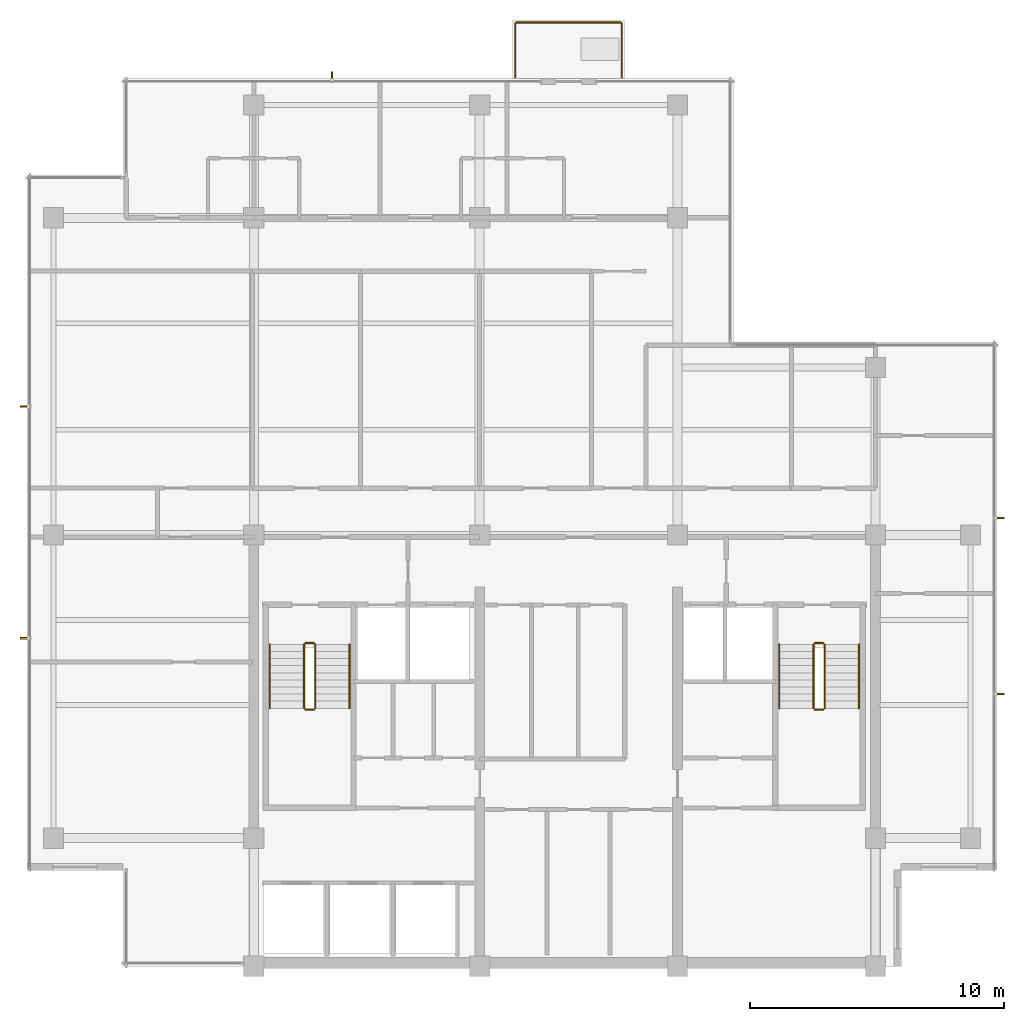
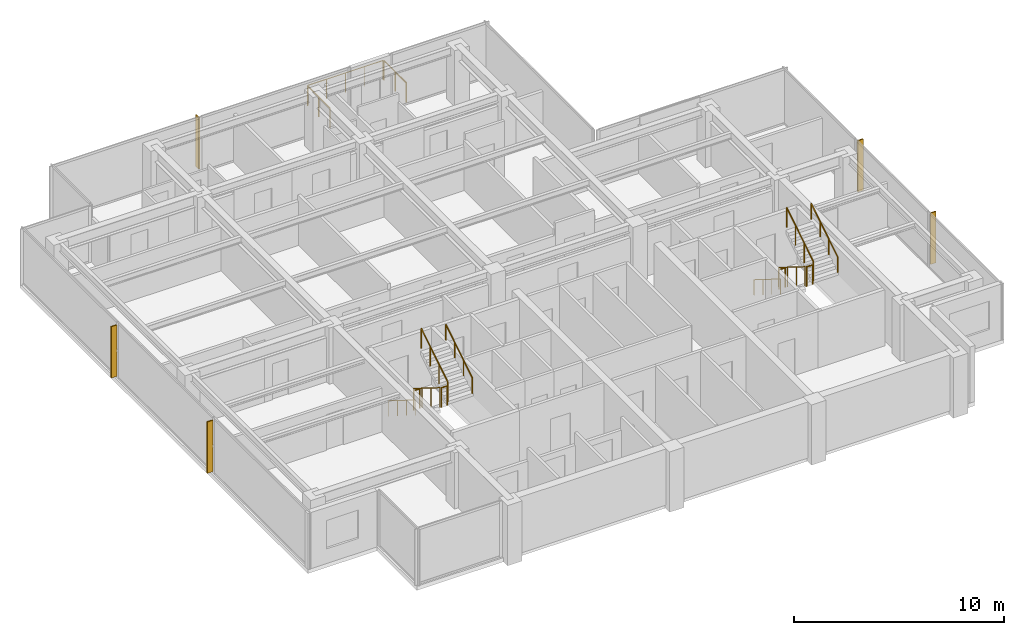
# One storey, part 12 of 12: 15 railings, 5 shading devices.
"""IFC4 building model written with IfcOpenShell, lengths in metres."""

import ifcopenshell
import ifcopenshell.guid

model = None  # the IFC model being written
_history = None  # IfcOwnerHistory: only IFC2X3 demands one
_inside = {}  # id of a spatial element -> (the spatial element, [elements in it])
_under = {}  # id of a project, library or spatial element -> (it, [spatial elements below it])
_declared = {}  # id of a project -> (the project, [libraries it declares])
_typed = {}  # id of a type object -> (the type object, [elements of that type])
_made_of = {}  # id of a material, layer set ... -> (it, [elements and type objects made of it])


def new_model(schema):
    """Start an empty IFC model of exactly this schema.

    Asked for "IFC4X3", IfcOpenShell would pick the latest addendum, in which some entities
    have other attributes; the version numbers below select the first issue.
    IFC2X3 requires an IfcOwnerHistory on every rooted entity: one is made here for all.
    """
    global model, _history
    if schema == "IFC4X3":
        model = ifcopenshell.file(schema_version=(4, 3, 0, 0))
    else:
        model = ifcopenshell.file(schema=schema)
    _inside.clear()
    _under.clear()
    _declared.clear()
    _typed.clear()
    _made_of.clear()
    _history = None
    if model.schema == "IFC2X3":
        org = make("IfcOrganization", Name="unknown")
        user = make(
            "IfcPersonAndOrganization",
            ThePerson=make("IfcPerson", FamilyName="unknown"),
            TheOrganization=org,
        )
        app = make(
            "IfcApplication",
            ApplicationDeveloper=org,
            Version="unknown",
            ApplicationFullName="unknown",
            ApplicationIdentifier="unknown",
        )
        _history = make(
            "IfcOwnerHistory",
            OwningUser=user,
            OwningApplication=app,
            ChangeAction="ADDED",
            CreationDate=0,
        )
    return model


def make(cls, **values):
    """One entity of the class cls with the attributes given. An attribute that is None is left unset."""
    return model.create_entity(
        cls, **{name: value for name, value in values.items() if value is not None}
    )


def rooted(cls, **values):
    """An entity with a GlobalId (a new one), such as an element, a storey or a relation."""
    return make(cls, GlobalId=ifcopenshell.guid.new(), OwnerHistory=_history, **values)


def si_unit(unit_type, name, prefix=None):
    """IfcSIUnit, for example si_unit("LENGTHUNIT", "METRE", prefix="MILLI")."""
    return make("IfcSIUnit", UnitType=unit_type, Prefix=prefix, Name=name)


def assignment(units):
    """IfcUnitAssignment: the units of a project."""
    return None if units is None else make("IfcUnitAssignment", Units=units)


def point(xyz):
    """IfcCartesianPoint."""
    return None if xyz is None else make("IfcCartesianPoint", Coordinates=xyz)


def direction(xyz):
    """IfcDirection."""
    return None if xyz is None else make("IfcDirection", DirectionRatios=xyz)


def frame(location, z_axis=None, x_axis=None):
    """IfcAxis2Placement3D, a coordinate frame: its origin and axes. An axis left out is left unset."""
    return make(
        "IfcAxis2Placement3D",
        Location=point(location),
        Axis=direction(z_axis),
        RefDirection=direction(x_axis),
    )


def frame_2d(location, x_axis=None):
    """IfcAxis2Placement2D, a coordinate frame in the plane: its origin and x axis."""
    return make(
        "IfcAxis2Placement2D", Location=point(location), RefDirection=direction(x_axis)
    )


def origin():
    """The frame at (0, 0, 0) with its axes left unset."""
    return frame((0.0, 0.0, 0.0))


def origin_2d():
    """The frame at (0, 0) in the plane with its x axis left unset."""
    return frame_2d((0.0, 0.0))


def place(relative_to, where):
    """IfcLocalPlacement: puts the frame where relative to a parent placement (None: the world)."""
    return make(
        "IfcLocalPlacement", PlacementRelTo=relative_to, RelativePlacement=where
    )


def context(
    kind, dimensions, precision=None, world=None, true_north=None, identifier=None
):
    """IfcGeometricRepresentationContext, for example the 3D "Model" context."""
    return make(
        "IfcGeometricRepresentationContext",
        ContextIdentifier=identifier,
        ContextType=kind,
        CoordinateSpaceDimension=dimensions,
        Precision=precision,
        WorldCoordinateSystem=world,
        TrueNorth=true_north,
    )


def subcontext(parent, identifier, kind, view, scale=None):
    """IfcGeometricRepresentationSubContext, for example "Body" below "Model"."""
    return make(
        "IfcGeometricRepresentationSubContext",
        ContextIdentifier=identifier,
        ContextType=kind,
        ParentContext=parent,
        TargetScale=scale,
        TargetView=view,
    )


def project(units=None, contexts=None):
    """IfcProject with its units and contexts."""
    return rooted(
        "IfcProject",
        Name="project",
        RepresentationContexts=contexts,
        UnitsInContext=assignment(units),
    )


def spatial(cls, under=None, at=None, **own):
    """A site, building, storey or space (cls), placed at a placement, below another one or the project."""
    s = rooted(cls, ObjectPlacement=at, **own)
    if under is not None:
        _under.setdefault(under.id(), (under, []))[1].append(s)
    return s


def polyline(points):
    """IfcPolyline through the points."""
    return make("IfcPolyline", Points=[point(p) for p in points])


def profile(cls, at=None, kind="AREA", **sizes):
    """A parametric profile (cls). Its sizes go by their IFC names, for example OverallWidth=200.0."""
    return make(cls, ProfileType=kind, Position=at, **sizes)


def circle(**sizes):
    """IfcCircleProfileDef."""
    return profile("IfcCircleProfileDef", **sizes)


def outline(outer, holes=None, kind="AREA"):
    """IfcArbitraryClosedProfileDef: a profile drawn as a closed curve; with holes, ...WithVoids."""
    if holes is None:
        return make("IfcArbitraryClosedProfileDef", ProfileType=kind, OuterCurve=outer)
    return make(
        "IfcArbitraryProfileDefWithVoids",
        ProfileType=kind,
        OuterCurve=outer,
        InnerCurves=holes,
    )


def extrude(swept, where, along, depth):
    """IfcExtrudedAreaSolid: the profile swept, set in the frame where, extruded along a direction by depth."""
    return make(
        "IfcExtrudedAreaSolid",
        SweptArea=swept,
        Position=where,
        ExtrudedDirection=direction(along),
        Depth=depth,
    )


def shape(context_of_items, identifier, shape_type, items):
    """IfcShapeRepresentation: the items that make up one representation, for example the "Body"."""
    return make(
        "IfcShapeRepresentation",
        ContextOfItems=context_of_items,
        RepresentationIdentifier=identifier,
        RepresentationType=shape_type,
        Items=items,
    )


def material(Name=None, Category=None):
    """IfcMaterial."""
    return make("IfcMaterial", Name=Name, Category=Category)


def layer(
    of_material, thickness, ventilated=None, Name=None, Category=None, Priority=None
):
    """IfcMaterialLayer: one layer of a wall or slab, of a material (None: an air gap)."""
    return make(
        "IfcMaterialLayer",
        Material=of_material,
        LayerThickness=thickness,
        IsVentilated=ventilated,
        Name=Name,
        Category=Category,
        Priority=Priority,
    )


def layer_set(layers, Name=None):
    """IfcMaterialLayerSet."""
    return make("IfcMaterialLayerSet", MaterialLayers=layers, LayerSetName=Name)


def made_of(thing, what):
    """Note that an element or type object is made of a material, layer set ...; save() writes the relation."""
    if what is not None:
        _made_of.setdefault(what.id(), (what, []))[1].append(thing)
    return thing


def type_object(cls, material=None, **own):
    """A type object (cls), such as IfcWallType, which elements share."""
    return made_of(rooted(cls, **own), material)


def element(
    cls,
    number,
    at=None,
    inside=None,
    cuts=None,
    type_object=None,
    material=None,
    context=None,
    identifier="Body",
    shape_type=None,
    held_by="IfcProductDefinitionShape",
    body=None,
    shapes=None,
    **own,
):
    """One element of the class cls, such as IfcWall. Its Tag is "e" and its number.

    at: its placement. inside: the storey or other place that contains it. cuts: it is an
    opening in that element (IfcRelVoidsElement). A single representation is given by context,
    identifier, shape_type and body (its items); several are given by shapes. held_by: the class
    of the entity that holds the representations. save() writes the other relations.
    """
    e = rooted(cls, Tag="e%d" % number, ObjectPlacement=at, **own)
    if body is not None:
        shapes = [shape(context, identifier, shape_type, body)]
    if shapes is not None:
        e.Representation = make(held_by, Representations=shapes)
    if inside is not None:
        _inside.setdefault(inside.id(), (inside, []))[1].append(e)
    if cuts is not None:
        rooted(
            "IfcRelVoidsElement", RelatingBuildingElement=cuts, RelatedOpeningElement=e
        )
    if type_object is not None:
        _typed.setdefault(type_object.id(), (type_object, []))[1].append(e)
    return made_of(e, material)


def aggregate(whole, parts):
    """IfcRelAggregates: a whole, such as a stair, and the parts it consists of."""
    return rooted("IfcRelAggregates", RelatingObject=whole, RelatedObjects=parts)


def save(model, path):
    """Write the relations noted so far, then the file.

    IfcRelAggregates (storeys below a building ...), IfcRelContainedInSpatialStructure (elements
    in a storey), IfcRelDefinesByType, IfcRelAssociatesMaterial and IfcRelDeclares: one each for
    every whole, place, type object, material and project.
    """
    for whole, parts in _under.values():
        aggregate(whole, parts)
    for where, things in _inside.values():
        rooted(
            "IfcRelContainedInSpatialStructure",
            RelatedElements=things,
            RelatingStructure=where,
        )
    for kind, things in _typed.values():
        rooted("IfcRelDefinesByType", RelatedObjects=things, RelatingType=kind)
    for what, things in _made_of.values():
        rooted("IfcRelAssociatesMaterial", RelatedObjects=things, RelatingMaterial=what)
    for by, libraries in _declared.values():
        rooted("IfcRelDeclares", RelatingContext=by, RelatedDefinitions=libraries)
    model.write(path)


model = new_model("IFC4")

# Units and contexts
model_context = context("Model", 3, precision=1e-05, world=origin(), true_north=direction((0.0, 1.0)))
body_context = subcontext(model_context, "Body", "Model", "MODEL_VIEW")
ifc_project = project(units=[si_unit("LENGTHUNIT", "METRE"), si_unit("AREAUNIT", "SQUARE_METRE"), si_unit("VOLUMEUNIT", "CUBIC_METRE"), si_unit("PLANEANGLEUNIT", "RADIAN"), si_unit("MASSUNIT", "GRAM", prefix="KILO")], contexts=[model_context])

# Site, building, storey
site_placement = place(None, origin())
site = spatial("IfcSite", under=ifc_project, at=site_placement, CompositionType="ELEMENT")
building_placement = place(site_placement, origin())
building = spatial("IfcBuilding", under=site, at=building_placement, Name="Qalmaran Belvedere Hotel", CompositionType="ELEMENT")
storey_placement = place(building_placement, frame((0.0, 0.0, 252.89990234375)))
storey = spatial("IfcBuildingStorey", under=building, at=storey_placement, Name="L65", CompositionType="ELEMENT", Elevation=252.89990234375)

# Shading devices
ifc_material_1 = material(Name="Anodised Bronze Aluminium", Category="aluminium")
ifc_layer = layer(ifc_material_1, 0.06494140625, Name="Anodised Bronze Aluminium")
ifc_layer_set = layer_set([ifc_layer], Name="Anodised Bronze Aluminium")
shading_device_type = type_object("IfcShadingDeviceType", Name="FIN-BRNZ-300", PredefinedType="USERDEFINED", material=ifc_layer_set)
shading_device_1_placement = place(storey_placement, frame((0.0, 0.0, 0.16015625)))
element("IfcShadingDevice", 1, at=shading_device_1_placement, inside=storey, type_object=shading_device_type, Name="L65 Bronze Fin 1", ObjectType="FIN", PredefinedType="USERDEFINED", context=body_context, shape_type="SweptSolid", body=[
    extrude(outline(polyline([(49.5673828125, 14.20068359375), (49.867431640625, 14.20068359375), (49.867431640625, 14.265869140625), (49.5673828125, 14.265869140625), (49.5673828125, 14.20068359375)])), origin(), (0.0, 0.0, 1.0), 2.97998046875),
])
shading_device_2_placement = place(storey_placement, frame((0.0, 0.0, 0.16015625)))
element("IfcShadingDevice", 2, at=shading_device_2_placement, inside=storey, type_object=shading_device_type, Name="L65 Bronze Fin 2", ObjectType="FIN", PredefinedType="USERDEFINED", context=body_context, shape_type="SweptSolid", body=[
    extrude(outline(polyline([(49.5673828125, 21.13427734375), (49.867431640625, 21.13427734375), (49.867431640625, 21.19921875), (49.5673828125, 21.19921875), (49.5673828125, 21.13427734375)])), origin(), (0.0, 0.0, 1.0), 2.97998046875),
])
shading_device_3_placement = place(storey_placement, frame((0.0, 0.0, 0.16015625)))
element("IfcShadingDevice", 3, at=shading_device_3_placement, inside=storey, type_object=shading_device_type, Name="L65 Bronze Fin 1", ObjectType="FIN", PredefinedType="USERDEFINED", context=body_context, shape_type="SweptSolid", body=[
    extrude(outline(polyline([(23.407470703125, 38.467529296875), (23.407470703125, 38.767578125), (23.342529296875, 38.767578125), (23.342529296875, 38.467529296875), (23.407470703125, 38.467529296875)])), origin(), (0.0, 0.0, 1.0), 2.97998046875),
])
shading_device_4_placement = place(storey_placement, frame((0.0, 0.0, 0.16015625)))
element("IfcShadingDevice", 4, at=shading_device_4_placement, inside=storey, type_object=shading_device_type, Name="L65 Bronze Fin 1", ObjectType="FIN", PredefinedType="USERDEFINED", context=body_context, shape_type="SweptSolid", body=[
    extrude(outline(polyline([(11.382568359375, 25.59912109375), (11.08251953125, 25.59912109375), (11.08251953125, 25.5341796875), (11.382568359375, 25.5341796875), (11.382568359375, 25.59912109375)])), origin(), (0.0, 0.0, 1.0), 2.97998046875),
])
shading_device_5_placement = place(storey_placement, frame((0.0, 0.0, 0.16015625)))
element("IfcShadingDevice", 5, at=shading_device_5_placement, inside=storey, type_object=shading_device_type, Name="L65 Bronze Fin 2", ObjectType="FIN", PredefinedType="USERDEFINED", context=body_context, shape_type="SweptSolid", body=[
    extrude(outline(polyline([(11.382568359375, 16.4658203125), (11.08251953125, 16.4658203125), (11.08251953125, 16.40087890625), (11.382568359375, 16.40087890625), (11.382568359375, 16.4658203125)])), origin(), (0.0, 0.0, 1.0), 2.97998046875),
])

# Railings
railing_type_1 = type_object("IfcRailingType", Name="GRD-BAL-1150", PredefinedType="BALUSTRADE", material=ifc_material_1)
railing_1_placement = place(storey_placement, frame((30.60009765625, 38.534912109375, 0.0)))
element("IfcRailing", 6, at=railing_1_placement, inside=storey, type_object=railing_type_1, Name="L65 Guardrail BAL-L65-N-1", PredefinedType="BALUSTRADE", context=body_context, shape_type="SweptSolid", body=[
    extrude(circle(Radius=0.02392578125, at=origin_2d()), frame((0.0, 0.0, 1.1259765625), z_axis=(0.0, 1.0, 0.0), x_axis=(-1.0, 0.0, 0.0)), (0.0, 0.0, 1.0), 2.130126953125),
    extrude(circle(Radius=0.02099609375, at=origin_2d()), origin(), (0.0, 0.0, 1.0), 1.101806640625),
    extrude(circle(Radius=0.02099609375, at=origin_2d()), frame((0.0, 1.06494140625, 0.0)), (0.0, 0.0, 1.0), 1.101806640625),
    extrude(circle(Radius=0.02099609375, at=origin_2d()), frame((0.0, 2.130126953125, 0.0)), (0.0, 0.0, 1.0), 1.101806640625),
])
railing_2_placement = place(storey_placement, frame((30.635009765625, 40.699951171875, 0.0)))
element("IfcRailing", 7, at=railing_2_placement, inside=storey, type_object=railing_type_1, Name="L65 Guardrail BAL-L65-N-2", PredefinedType="BALUSTRADE", context=body_context, shape_type="SweptSolid", body=[
    extrude(circle(Radius=0.02392578125, at=origin_2d()), frame((0.0, 0.0, 1.1259765625), z_axis=(1.0, 0.0, 0.0), x_axis=(0.0, 1.0, 0.0)), (0.0, 0.0, 1.0), 4.1298828125),
    extrude(circle(Radius=0.02099609375, at=origin_2d()), origin(), (0.0, 0.0, 1.0), 1.101806640625),
    extrude(circle(Radius=0.02099609375, at=origin_2d()), frame((1.032470703125, 0.0, 0.0)), (0.0, 0.0, 1.0), 1.101806640625),
    extrude(circle(Radius=0.02099609375, at=origin_2d()), frame((2.06494140625, 0.0, 0.0)), (0.0, 0.0, 1.0), 1.101806640625),
    extrude(circle(Radius=0.02099609375, at=origin_2d()), frame((3.097412109375, 0.0, 0.0)), (0.0, 0.0, 1.0), 1.101806640625),
    extrude(circle(Radius=0.02099609375, at=origin_2d()), frame((4.1298828125, 0.0, 0.0)), (0.0, 0.0, 1.0), 1.101806640625),
])
railing_3_placement = place(storey_placement, frame((34.800048828125, 40.6650390625, 0.0)))
element("IfcRailing", 8, at=railing_3_placement, inside=storey, type_object=railing_type_1, Name="L65 Guardrail BAL-L65-N-3", PredefinedType="BALUSTRADE", context=body_context, shape_type="SweptSolid", body=[
    extrude(circle(Radius=0.02392578125, at=origin_2d()), frame((0.0, 0.0, 1.1259765625), z_axis=(0.0, -1.0, 0.0), x_axis=(1.0, 0.0, 0.0)), (0.0, 0.0, 1.0), 2.130126953125),
    extrude(circle(Radius=0.02099609375, at=origin_2d()), origin(), (0.0, 0.0, 1.0), 1.101806640625),
    extrude(circle(Radius=0.02099609375, at=origin_2d()), frame((0.0, -1.06494140625, 0.0)), (0.0, 0.0, 1.0), 1.101806640625),
    extrude(circle(Radius=0.02099609375, at=origin_2d()), frame((0.0, -2.130126953125, 0.0)), (0.0, 0.0, 1.0), 1.101806640625),
])
ifc_material_2 = material(Name="Stainless Steel 1.4401", Category="steel")
railing_type_2 = type_object("IfcRailingType", Name="RLG-STAIR-GUARD-1150", PredefinedType="GUARDRAIL", material=ifc_material_2)
railing_4_placement = place(storey_placement, frame((22.280029296875, 16.18994140625, 0.175048828125)))
element("IfcRailing", 9, at=railing_4_placement, inside=storey, type_object=railing_type_2, Name="L65 ST-1 stair guard 1", PredefinedType="GUARDRAIL", context=body_context, shape_type="SweptSolid", body=[
    extrude(circle(Radius=0.02392578125, at=origin_2d()), frame((0.0, 0.0, 1.1259765625), z_axis=(0.0, -0.848007534815, 0.529984170421), x_axis=(1.0, 0.0, 0.0)), (0.0, 0.0, 1.0), 2.9716796875),
    extrude(circle(Radius=0.02099609375, at=origin_2d()), origin(), (0.0, 0.0, 1.0), 1.101806640625),
    extrude(circle(Radius=0.02099609375, at=origin_2d()), frame((0.0, -0.840087890625, 0.52490234375)), (0.0, 0.0, 1.0), 1.101806640625),
    extrude(circle(Radius=0.02099609375, at=origin_2d()), frame((0.0, -1.679931640625, 1.050048828125)), (0.0, 0.0, 1.0), 1.101806640625),
    extrude(circle(Radius=0.02099609375, at=origin_2d()), frame((0.0, -2.52001953125, 1.574951171875)), (0.0, 0.0, 1.0), 1.101806640625),
])
railing_5_placement = place(storey_placement, frame((22.330078125, 13.6201171875, 1.75)))
element("IfcRailing", 10, at=railing_5_placement, inside=storey, type_object=railing_type_2, Name="L65 ST-1 stair guard 2", PredefinedType="GUARDRAIL", context=body_context, shape_type="SweptSolid", body=[
    extrude(circle(Radius=0.02392578125, at=origin_2d()), frame((0.0, 0.0, 1.1259765625), z_axis=(1.0, 0.0, 0.0), x_axis=(0.0, 1.0, 0.0)), (0.0, 0.0, 1.0), 0.33984375),
    extrude(circle(Radius=0.02099609375, at=origin_2d()), origin(), (0.0, 0.0, 1.0), 1.101806640625),
    extrude(circle(Radius=0.02099609375, at=origin_2d()), frame((0.33984375, 0.0, 0.0)), (0.0, 0.0, 1.0), 1.101806640625),
])
railing_6_placement = place(storey_placement, frame((22.719970703125, 13.669921875, 1.925048828125)))
element("IfcRailing", 11, at=railing_6_placement, inside=storey, type_object=railing_type_2, Name="L65 ST-1 stair guard 3", PredefinedType="GUARDRAIL", context=body_context, shape_type="SweptSolid", body=[
    extrude(circle(Radius=0.02392578125, at=origin_2d()), frame((0.0, 0.0, 1.1259765625), z_axis=(0.0, 0.848007534815, 0.529984170421), x_axis=(-1.0, 0.0, 0.0)), (0.0, 0.0, 1.0), 2.9716796875),
    extrude(circle(Radius=0.02099609375, at=origin_2d()), origin(), (0.0, 0.0, 1.0), 1.101806640625),
    extrude(circle(Radius=0.02099609375, at=origin_2d()), frame((0.0, 0.840087890625, 0.52490234375)), (0.0, 0.0, 1.0), 1.101806640625),
    extrude(circle(Radius=0.02099609375, at=origin_2d()), frame((0.0, 1.679931640625, 1.050048828125)), (0.0, 0.0, 1.0), 1.101806640625),
    extrude(circle(Radius=0.02099609375, at=origin_2d()), frame((0.0, 2.52001953125, 1.574951171875)), (0.0, 0.0, 1.0), 1.101806640625),
])
railing_7_placement = place(storey_placement, frame((22.330078125, 16.239990234375, 0.0)))
element("IfcRailing", 12, at=railing_7_placement, inside=storey, type_object=railing_type_2, Name="L65 ST-1 stair guard 4", PredefinedType="GUARDRAIL", context=body_context, shape_type="SweptSolid", body=[
    extrude(circle(Radius=0.02392578125, at=origin_2d()), frame((0.0, 0.0, 1.1259765625), z_axis=(1.0, 0.0, 0.0), x_axis=(0.0, 1.0, 0.0)), (0.0, 0.0, 1.0), 0.33984375),
    extrude(circle(Radius=0.02099609375, at=origin_2d()), origin(), (0.0, 0.0, 1.0), 1.101806640625),
    extrude(circle(Radius=0.02099609375, at=origin_2d()), frame((0.33984375, 0.0, 0.0)), (0.0, 0.0, 1.0), 1.101806640625),
])
railing_8_placement = place(storey_placement, frame((42.360107421875, 16.18994140625, 0.175048828125)))
element("IfcRailing", 13, at=railing_8_placement, inside=storey, type_object=railing_type_2, Name="L65 ST-2 stair guard 1", PredefinedType="GUARDRAIL", context=body_context, shape_type="SweptSolid", body=[
    extrude(circle(Radius=0.02392578125, at=origin_2d()), frame((0.0, 0.0, 1.1259765625), z_axis=(0.0, -0.848007534815, 0.529984170421), x_axis=(1.0, 0.0, 0.0)), (0.0, 0.0, 1.0), 2.9716796875),
    extrude(circle(Radius=0.02099609375, at=origin_2d()), origin(), (0.0, 0.0, 1.0), 1.101806640625),
    extrude(circle(Radius=0.02099609375, at=origin_2d()), frame((0.0, -0.840087890625, 0.52490234375)), (0.0, 0.0, 1.0), 1.101806640625),
    extrude(circle(Radius=0.02099609375, at=origin_2d()), frame((0.0, -1.679931640625, 1.050048828125)), (0.0, 0.0, 1.0), 1.101806640625),
    extrude(circle(Radius=0.02099609375, at=origin_2d()), frame((0.0, -2.52001953125, 1.574951171875)), (0.0, 0.0, 1.0), 1.101806640625),
])
railing_9_placement = place(storey_placement, frame((42.409912109375, 13.6201171875, 1.75)))
element("IfcRailing", 14, at=railing_9_placement, inside=storey, type_object=railing_type_2, Name="L65 ST-2 stair guard 2", PredefinedType="GUARDRAIL", context=body_context, shape_type="SweptSolid", body=[
    extrude(circle(Radius=0.02392578125, at=origin_2d()), frame((0.0, 0.0, 1.1259765625), z_axis=(1.0, 0.0, 0.0), x_axis=(0.0, 1.0, 0.0)), (0.0, 0.0, 1.0), 0.340087890625),
    extrude(circle(Radius=0.02099609375, at=origin_2d()), origin(), (0.0, 0.0, 1.0), 1.101806640625),
    extrude(circle(Radius=0.02099609375, at=origin_2d()), frame((0.340087890625, 0.0, 0.0)), (0.0, 0.0, 1.0), 1.101806640625),
])
railing_10_placement = place(storey_placement, frame((42.800048828125, 13.669921875, 1.925048828125)))
element("IfcRailing", 15, at=railing_10_placement, inside=storey, type_object=railing_type_2, Name="L65 ST-2 stair guard 3", PredefinedType="GUARDRAIL", context=body_context, shape_type="SweptSolid", body=[
    extrude(circle(Radius=0.02392578125, at=origin_2d()), frame((0.0, 0.0, 1.1259765625), z_axis=(0.0, 0.848007534815, 0.529984170421), x_axis=(-1.0, 0.0, 0.0)), (0.0, 0.0, 1.0), 2.9716796875),
    extrude(circle(Radius=0.02099609375, at=origin_2d()), origin(), (0.0, 0.0, 1.0), 1.101806640625),
    extrude(circle(Radius=0.02099609375, at=origin_2d()), frame((0.0, 0.840087890625, 0.52490234375)), (0.0, 0.0, 1.0), 1.101806640625),
    extrude(circle(Radius=0.02099609375, at=origin_2d()), frame((0.0, 1.679931640625, 1.050048828125)), (0.0, 0.0, 1.0), 1.101806640625),
    extrude(circle(Radius=0.02099609375, at=origin_2d()), frame((0.0, 2.52001953125, 1.574951171875)), (0.0, 0.0, 1.0), 1.101806640625),
])
railing_11_placement = place(storey_placement, frame((42.409912109375, 16.239990234375, 0.0)))
element("IfcRailing", 16, at=railing_11_placement, inside=storey, type_object=railing_type_2, Name="L65 ST-2 stair guard 4", PredefinedType="GUARDRAIL", context=body_context, shape_type="SweptSolid", body=[
    extrude(circle(Radius=0.02392578125, at=origin_2d()), frame((0.0, 0.0, 1.1259765625), z_axis=(1.0, 0.0, 0.0), x_axis=(0.0, 1.0, 0.0)), (0.0, 0.0, 1.0), 0.340087890625),
    extrude(circle(Radius=0.02099609375, at=origin_2d()), origin(), (0.0, 0.0, 1.0), 1.101806640625),
    extrude(circle(Radius=0.02099609375, at=origin_2d()), frame((0.340087890625, 0.0, 0.0)), (0.0, 0.0, 1.0), 1.101806640625),
])
railing_type_3 = type_object("IfcRailingType", Name="RLG-STAIR-HAND-910", PredefinedType="HANDRAIL", material=ifc_material_2)
railing_12_placement = place(storey_placement, frame((20.929931640625, 16.18994140625, 0.175048828125)))
element("IfcRailing", 17, at=railing_12_placement, inside=storey, type_object=railing_type_3, Name="L65 ST-1 stair handrail 1", PredefinedType="HANDRAIL", context=body_context, shape_type="SweptSolid", body=[
    extrude(circle(Radius=0.02392578125, at=origin_2d()), frame((0.0, 0.0, 0.8857421875), z_axis=(0.0, -0.848007534815, 0.529984170421), x_axis=(1.0, 0.0, 0.0)), (0.0, 0.0, 1.0), 2.9716796875),
    extrude(circle(Radius=0.02099609375, at=origin_2d()), origin(), (0.0, 0.0, 1.0), 0.86181640625),
    extrude(circle(Radius=0.02099609375, at=origin_2d()), frame((0.0, -0.840087890625, 0.52490234375)), (0.0, 0.0, 1.0), 0.86181640625),
    extrude(circle(Radius=0.02099609375, at=origin_2d()), frame((0.0, -1.679931640625, 1.050048828125)), (0.0, 0.0, 1.0), 0.86181640625),
    extrude(circle(Radius=0.02099609375, at=origin_2d()), frame((0.0, -2.52001953125, 1.574951171875)), (0.0, 0.0, 1.0), 0.86181640625),
])
railing_13_placement = place(storey_placement, frame((24.070068359375, 13.669921875, 1.925048828125)))
element("IfcRailing", 18, at=railing_13_placement, inside=storey, type_object=railing_type_3, Name="L65 ST-1 stair handrail 2", PredefinedType="HANDRAIL", context=body_context, shape_type="SweptSolid", body=[
    extrude(circle(Radius=0.02392578125, at=origin_2d()), frame((0.0, 0.0, 0.8857421875), z_axis=(0.0, 0.848007534815, 0.529984170421), x_axis=(-1.0, 0.0, 0.0)), (0.0, 0.0, 1.0), 2.9716796875),
    extrude(circle(Radius=0.02099609375, at=origin_2d()), origin(), (0.0, 0.0, 1.0), 0.86181640625),
    extrude(circle(Radius=0.02099609375, at=origin_2d()), frame((0.0, 0.840087890625, 0.52490234375)), (0.0, 0.0, 1.0), 0.86181640625),
    extrude(circle(Radius=0.02099609375, at=origin_2d()), frame((0.0, 1.679931640625, 1.050048828125)), (0.0, 0.0, 1.0), 0.86181640625),
    extrude(circle(Radius=0.02099609375, at=origin_2d()), frame((0.0, 2.52001953125, 1.574951171875)), (0.0, 0.0, 1.0), 0.86181640625),
])
railing_14_placement = place(storey_placement, frame((41.010009765625, 16.18994140625, 0.175048828125)))
element("IfcRailing", 19, at=railing_14_placement, inside=storey, type_object=railing_type_3, Name="L65 ST-2 stair handrail 1", PredefinedType="HANDRAIL", context=body_context, shape_type="SweptSolid", body=[
    extrude(circle(Radius=0.02392578125, at=origin_2d()), frame((0.0, 0.0, 0.8857421875), z_axis=(0.0, -0.848007534815, 0.529984170421), x_axis=(1.0, 0.0, 0.0)), (0.0, 0.0, 1.0), 2.9716796875),
    extrude(circle(Radius=0.02099609375, at=origin_2d()), origin(), (0.0, 0.0, 1.0), 0.86181640625),
    extrude(circle(Radius=0.02099609375, at=origin_2d()), frame((0.0, -0.840087890625, 0.52490234375)), (0.0, 0.0, 1.0), 0.86181640625),
    extrude(circle(Radius=0.02099609375, at=origin_2d()), frame((0.0, -1.679931640625, 1.050048828125)), (0.0, 0.0, 1.0), 0.86181640625),
    extrude(circle(Radius=0.02099609375, at=origin_2d()), frame((0.0, -2.52001953125, 1.574951171875)), (0.0, 0.0, 1.0), 0.86181640625),
])
railing_15_placement = place(storey_placement, frame((44.14990234375, 13.669921875, 1.925048828125)))
element("IfcRailing", 20, at=railing_15_placement, inside=storey, type_object=railing_type_3, Name="L65 ST-2 stair handrail 2", PredefinedType="HANDRAIL", context=body_context, shape_type="SweptSolid", body=[
    extrude(circle(Radius=0.02392578125, at=origin_2d()), frame((0.0, 0.0, 0.8857421875), z_axis=(0.0, 0.848007534815, 0.529984170421), x_axis=(-1.0, 0.0, 0.0)), (0.0, 0.0, 1.0), 2.9716796875),
    extrude(circle(Radius=0.02099609375, at=origin_2d()), origin(), (0.0, 0.0, 1.0), 0.86181640625),
    extrude(circle(Radius=0.02099609375, at=origin_2d()), frame((0.0, 0.840087890625, 0.52490234375)), (0.0, 0.0, 1.0), 0.86181640625),
    extrude(circle(Radius=0.02099609375, at=origin_2d()), frame((0.0, 1.679931640625, 1.050048828125)), (0.0, 0.0, 1.0), 0.86181640625),
    extrude(circle(Radius=0.02099609375, at=origin_2d()), frame((0.0, 2.52001953125, 1.574951171875)), (0.0, 0.0, 1.0), 0.86181640625),
])

save(model, "model.ifc")
